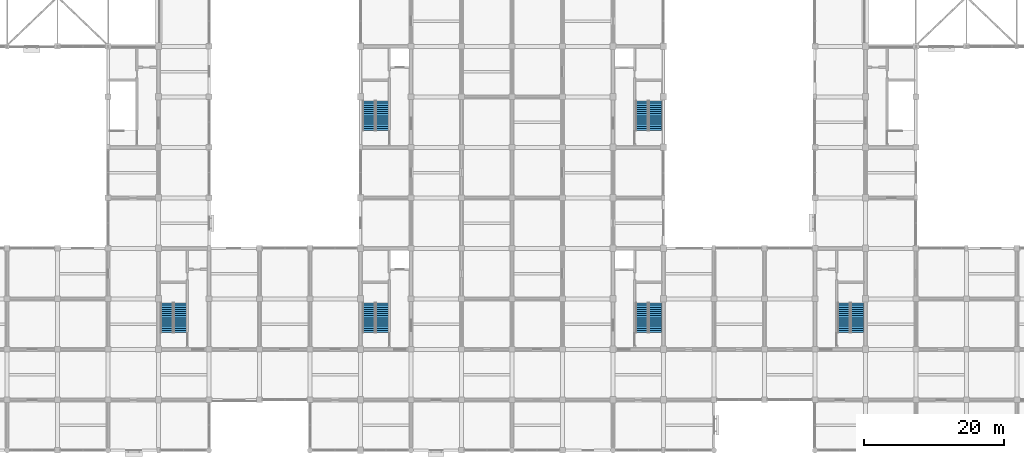
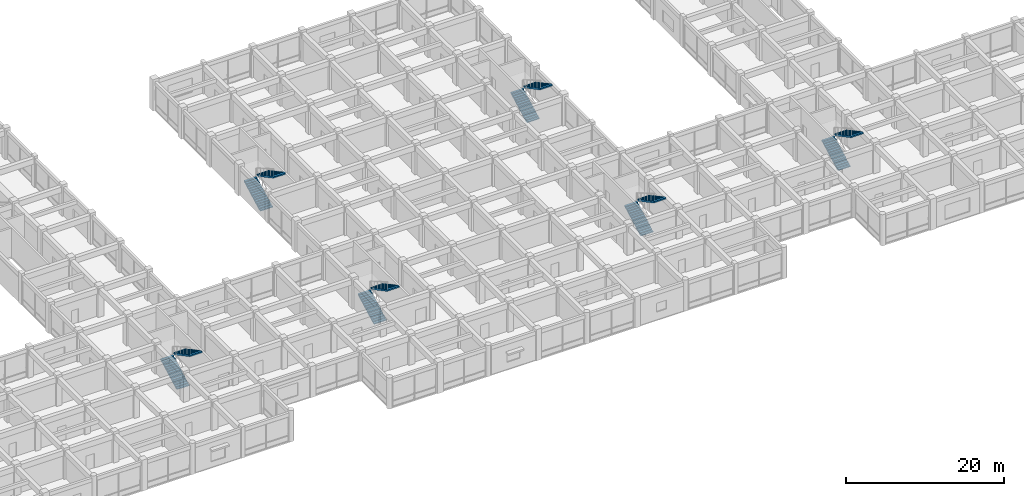
# One storey, part 66 of 75: 12 stair flights, 6 elements without a shape of their own.
"""IFC4 building model written with IfcOpenShell, lengths in metres."""

from ifc_helpers import new_model, si_unit, direction, frame, origin, place, context, subcontext, project, spatial, polyline, outline, extrude, material, type_object, element, aggregate, save


model = new_model("IFC4")

# Units and contexts
model_context = context("Model", 3, precision=1e-05, world=origin(), true_north=direction((0.0, 1.0)))
body_context = subcontext(model_context, "Body", "Model", "MODEL_VIEW")
ifc_project = project(units=[si_unit("LENGTHUNIT", "METRE"), si_unit("AREAUNIT", "SQUARE_METRE"), si_unit("VOLUMEUNIT", "CUBIC_METRE"), si_unit("PLANEANGLEUNIT", "RADIAN"), si_unit("MASSUNIT", "GRAM", prefix="KILO")], contexts=[model_context])

# Site, building, storey
site_placement = place(None, origin())
site = spatial("IfcSite", under=ifc_project, at=site_placement, CompositionType="ELEMENT")
building_placement = place(site_placement, origin())
building = spatial("IfcBuilding", under=site, at=building_placement, Name="Cendaluz Park School", CompositionType="ELEMENT")
storey_placement = place(building_placement, frame((0.0, 0.0, 4.800048828125)))
storey = spatial("IfcBuildingStorey", under=building, at=storey_placement, Name="L01", CompositionType="ELEMENT", Elevation=4.800048828125)

# Stair, stair flights
ifc_material = material(Name="Concrete C40/50", Category="concrete")
stair_type = type_object("IfcStairType", Name="ST-480-180", PredefinedType="HALF_TURN_STAIR", material=ifc_material)
stair_1_placement = place(storey_placement, origin())
stair_1 = element("IfcStair", 1, at=stair_1_placement, inside=storey, type_object=stair_type, Name="ST-L01-C1", PredefinedType="HALF_TURN_STAIR")
stair_flight_type = type_object("IfcStairFlightType", Name="SF-15-160-180", PredefinedType="STRAIGHT", material=ifc_material)
stair_flight_1_placement = place(storey_placement, frame((65.989990234375, 16.800048828125, 0.0), z_axis=(0.0, 0.0, 1.0), x_axis=(0.0, 1.0, 0.0)))
stair_flight_1 = element("IfcStairFlight", 2, at=stair_flight_1_placement, type_object=stair_flight_type, Name="SF-L01-C1-1", NumberOfRisers=15, NumberOfTreads=14, PredefinedType="STRAIGHT", RiserHeight=0.16, TreadLength=0.3, context=body_context, shape_type="SweptSolid", body=[
    extrude(outline(polyline([(0.0, 0.0), (0.0, 0.159912109375), (0.300048828125, 0.159912109375), (0.300048828125, 0.320068359375), (0.60009765625, 0.320068359375), (0.60009765625, 0.47998046875), (0.89990234375, 0.47998046875), (0.89990234375, 0.639892578125), (1.199951171875, 0.639892578125), (1.199951171875, 0.800048828125), (1.5, 0.800048828125), (1.5, 0.9599609375), (1.800048828125, 0.9599609375), (1.800048828125, 1.1201171875), (2.10009765625, 1.1201171875), (2.10009765625, 1.280029296875), (2.39990234375, 1.280029296875), (2.39990234375, 1.43994140625), (2.699951171875, 1.43994140625), (2.699951171875, 1.60009765625), (3.0, 1.60009765625), (3.0, 1.760009765625), (3.300048828125, 1.760009765625), (3.300048828125, 1.919921875), (3.60009765625, 1.919921875), (3.60009765625, 2.080078125), (3.89990234375, 2.080078125), (3.89990234375, 2.239990234375), (4.199951171875, 2.239990234375), (4.199951171875, 2.39990234375), (4.199951171875, 2.0361328125), (0.38232421875, 0.0), (0.0, 0.0)])), frame((0.0, 0.89990234375, 0.0), z_axis=(0.0, -1.0, 0.0), x_axis=(1.0, 0.0, 0.0)), (0.0, 0.0, 1.0), 1.800048828125),
])
stair_flight_2_placement = place(storey_placement, frame((67.860107421875, 21.0, 2.39990234375), z_axis=(0.0, 0.0, 1.0), x_axis=(0.0, -1.0, 0.0)))
stair_flight_2 = element("IfcStairFlight", 3, at=stair_flight_2_placement, type_object=stair_flight_type, Name="SF-L01-C1-2", NumberOfRisers=15, NumberOfTreads=14, PredefinedType="STRAIGHT", RiserHeight=0.16, TreadLength=0.3, context=body_context, shape_type="SweptSolid", body=[
    extrude(outline(polyline([(0.0, 0.0), (0.0, 0.159912109375), (0.300048828125, 0.159912109375), (0.300048828125, 0.320068359375), (0.60009765625, 0.320068359375), (0.60009765625, 0.47998046875), (0.89990234375, 0.47998046875), (0.89990234375, 0.639892578125), (1.199951171875, 0.639892578125), (1.199951171875, 0.800048828125), (1.5, 0.800048828125), (1.5, 0.9599609375), (1.800048828125, 0.9599609375), (1.800048828125, 1.1201171875), (2.10009765625, 1.1201171875), (2.10009765625, 1.280029296875), (2.39990234375, 1.280029296875), (2.39990234375, 1.43994140625), (2.699951171875, 1.43994140625), (2.699951171875, 1.60009765625), (3.0, 1.60009765625), (3.0, 1.760009765625), (3.300048828125, 1.760009765625), (3.300048828125, 1.919921875), (3.60009765625, 1.919921875), (3.60009765625, 2.080078125), (3.89990234375, 2.080078125), (3.89990234375, 2.239990234375), (4.199951171875, 2.239990234375), (4.199951171875, 2.39990234375), (4.199951171875, 2.0361328125), (0.38232421875, 0.0), (0.0, 0.0)])), frame((0.0, 0.89990234375, 0.0), z_axis=(0.0, -1.0, 0.0), x_axis=(1.0, 0.0, 0.0)), (0.0, 0.0, 1.0), 1.800048828125),
])
aggregate(stair_1, [stair_flight_1, stair_flight_2])

stair_2_placement = place(storey_placement, origin())
stair_2 = element("IfcStair", 4, at=stair_2_placement, inside=storey, type_object=stair_type, Name="ST-L01-C2", PredefinedType="HALF_TURN_STAIR")
stair_flight_3_placement = place(storey_placement, frame((104.93994140625, 16.800048828125, 0.0), z_axis=(0.0, 0.0, 1.0), x_axis=(0.0, 1.0, 0.0)))
stair_flight_3 = element("IfcStairFlight", 5, at=stair_flight_3_placement, type_object=stair_flight_type, Name="SF-L01-C2-1", NumberOfRisers=15, NumberOfTreads=14, PredefinedType="STRAIGHT", RiserHeight=0.16, TreadLength=0.3, context=body_context, shape_type="SweptSolid", body=[
    extrude(outline(polyline([(0.0, 0.0), (0.0, 0.159912109375), (0.300048828125, 0.159912109375), (0.300048828125, 0.320068359375), (0.60009765625, 0.320068359375), (0.60009765625, 0.47998046875), (0.89990234375, 0.47998046875), (0.89990234375, 0.639892578125), (1.199951171875, 0.639892578125), (1.199951171875, 0.800048828125), (1.5, 0.800048828125), (1.5, 0.9599609375), (1.800048828125, 0.9599609375), (1.800048828125, 1.1201171875), (2.10009765625, 1.1201171875), (2.10009765625, 1.280029296875), (2.39990234375, 1.280029296875), (2.39990234375, 1.43994140625), (2.699951171875, 1.43994140625), (2.699951171875, 1.60009765625), (3.0, 1.60009765625), (3.0, 1.760009765625), (3.300048828125, 1.760009765625), (3.300048828125, 1.919921875), (3.60009765625, 1.919921875), (3.60009765625, 2.080078125), (3.89990234375, 2.080078125), (3.89990234375, 2.239990234375), (4.199951171875, 2.239990234375), (4.199951171875, 2.39990234375), (4.199951171875, 2.0361328125), (0.38232421875, 0.0), (0.0, 0.0)])), frame((0.0, 0.89990234375, 0.0), z_axis=(0.0, -1.0, 0.0), x_axis=(1.0, 0.0, 0.0)), (0.0, 0.0, 1.0), 1.800048828125),
])
stair_flight_4_placement = place(storey_placement, frame((106.81005859375, 21.0, 2.39990234375), z_axis=(0.0, 0.0, 1.0), x_axis=(0.0, -1.0, 0.0)))
stair_flight_4 = element("IfcStairFlight", 6, at=stair_flight_4_placement, type_object=stair_flight_type, Name="SF-L01-C2-2", NumberOfRisers=15, NumberOfTreads=14, PredefinedType="STRAIGHT", RiserHeight=0.16, TreadLength=0.3, context=body_context, shape_type="SweptSolid", body=[
    extrude(outline(polyline([(0.0, 0.0), (0.0, 0.159912109375), (0.300048828125, 0.159912109375), (0.300048828125, 0.320068359375), (0.60009765625, 0.320068359375), (0.60009765625, 0.47998046875), (0.89990234375, 0.47998046875), (0.89990234375, 0.639892578125), (1.199951171875, 0.639892578125), (1.199951171875, 0.800048828125), (1.5, 0.800048828125), (1.5, 0.9599609375), (1.800048828125, 0.9599609375), (1.800048828125, 1.1201171875), (2.10009765625, 1.1201171875), (2.10009765625, 1.280029296875), (2.39990234375, 1.280029296875), (2.39990234375, 1.43994140625), (2.699951171875, 1.43994140625), (2.699951171875, 1.60009765625), (3.0, 1.60009765625), (3.0, 1.760009765625), (3.300048828125, 1.760009765625), (3.300048828125, 1.919921875), (3.60009765625, 1.919921875), (3.60009765625, 2.080078125), (3.89990234375, 2.080078125), (3.89990234375, 2.239990234375), (4.199951171875, 2.239990234375), (4.199951171875, 2.39990234375), (4.199951171875, 2.0361328125), (0.38232421875, 0.0), (0.0, 0.0)])), frame((0.0, 0.89990234375, 0.0), z_axis=(0.0, -1.0, 0.0), x_axis=(1.0, 0.0, 0.0)), (0.0, 0.0, 1.0), 1.800048828125),
])
aggregate(stair_2, [stair_flight_3, stair_flight_4])

stair_3_placement = place(storey_placement, origin())
stair_3 = element("IfcStair", 7, at=stair_3_placement, inside=storey, type_object=stair_type, Name="ST-L01-C3", PredefinedType="HALF_TURN_STAIR")
stair_flight_5_placement = place(storey_placement, frame((65.989990234375, 45.60009765625, 0.0), z_axis=(0.0, 0.0, 1.0), x_axis=(0.0, 1.0, 0.0)))
stair_flight_5 = element("IfcStairFlight", 8, at=stair_flight_5_placement, type_object=stair_flight_type, Name="SF-L01-C3-1", NumberOfRisers=15, NumberOfTreads=14, PredefinedType="STRAIGHT", RiserHeight=0.16, TreadLength=0.3, context=body_context, shape_type="SweptSolid", body=[
    extrude(outline(polyline([(0.0, 0.0), (0.0, 0.159912109375), (0.300048828125, 0.159912109375), (0.300048828125, 0.320068359375), (0.60009765625, 0.320068359375), (0.60009765625, 0.47998046875), (0.89990234375, 0.47998046875), (0.89990234375, 0.639892578125), (1.199951171875, 0.639892578125), (1.199951171875, 0.800048828125), (1.5, 0.800048828125), (1.5, 0.9599609375), (1.800048828125, 0.9599609375), (1.800048828125, 1.1201171875), (2.10009765625, 1.1201171875), (2.10009765625, 1.280029296875), (2.39990234375, 1.280029296875), (2.39990234375, 1.43994140625), (2.699951171875, 1.43994140625), (2.699951171875, 1.60009765625), (3.0, 1.60009765625), (3.0, 1.760009765625), (3.300048828125, 1.760009765625), (3.300048828125, 1.919921875), (3.60009765625, 1.919921875), (3.60009765625, 2.080078125), (3.89990234375, 2.080078125), (3.89990234375, 2.239990234375), (4.199951171875, 2.239990234375), (4.199951171875, 2.39990234375), (4.199951171875, 2.0361328125), (0.38232421875, 0.0), (0.0, 0.0)])), frame((0.0, 0.89990234375, 0.0), z_axis=(0.0, -1.0, 0.0), x_axis=(1.0, 0.0, 0.0)), (0.0, 0.0, 1.0), 1.800048828125),
])
stair_flight_6_placement = place(storey_placement, frame((67.860107421875, 49.800048828125, 2.39990234375), z_axis=(0.0, 0.0, 1.0), x_axis=(0.0, -1.0, 0.0)))
stair_flight_6 = element("IfcStairFlight", 9, at=stair_flight_6_placement, type_object=stair_flight_type, Name="SF-L01-C3-2", NumberOfRisers=15, NumberOfTreads=14, PredefinedType="STRAIGHT", RiserHeight=0.16, TreadLength=0.3, context=body_context, shape_type="SweptSolid", body=[
    extrude(outline(polyline([(0.0, 0.0), (0.0, 0.159912109375), (0.300048828125, 0.159912109375), (0.300048828125, 0.320068359375), (0.60009765625, 0.320068359375), (0.60009765625, 0.47998046875), (0.89990234375, 0.47998046875), (0.89990234375, 0.639892578125), (1.199951171875, 0.639892578125), (1.199951171875, 0.800048828125), (1.5, 0.800048828125), (1.5, 0.9599609375), (1.800048828125, 0.9599609375), (1.800048828125, 1.1201171875), (2.10009765625, 1.1201171875), (2.10009765625, 1.280029296875), (2.39990234375, 1.280029296875), (2.39990234375, 1.43994140625), (2.699951171875, 1.43994140625), (2.699951171875, 1.60009765625), (3.0, 1.60009765625), (3.0, 1.760009765625), (3.300048828125, 1.760009765625), (3.300048828125, 1.919921875), (3.60009765625, 1.919921875), (3.60009765625, 2.080078125), (3.89990234375, 2.080078125), (3.89990234375, 2.239990234375), (4.199951171875, 2.239990234375), (4.199951171875, 2.39990234375), (4.199951171875, 2.0361328125), (0.38232421875, 0.0), (0.0, 0.0)])), frame((0.0, 0.89990234375, 0.0), z_axis=(0.0, -1.0, 0.0), x_axis=(1.0, 0.0, 0.0)), (0.0, 0.0, 1.0), 1.800048828125),
])
aggregate(stair_3, [stair_flight_5, stair_flight_6])

stair_4_placement = place(storey_placement, origin())
stair_4 = element("IfcStair", 10, at=stair_4_placement, inside=storey, type_object=stair_type, Name="ST-L01-C4", PredefinedType="HALF_TURN_STAIR")
stair_flight_7_placement = place(storey_placement, frame((104.93994140625, 45.60009765625, 0.0), z_axis=(0.0, 0.0, 1.0), x_axis=(0.0, 1.0, 0.0)))
stair_flight_7 = element("IfcStairFlight", 11, at=stair_flight_7_placement, type_object=stair_flight_type, Name="SF-L01-C4-1", NumberOfRisers=15, NumberOfTreads=14, PredefinedType="STRAIGHT", RiserHeight=0.16, TreadLength=0.3, context=body_context, shape_type="SweptSolid", body=[
    extrude(outline(polyline([(0.0, 0.0), (0.0, 0.159912109375), (0.300048828125, 0.159912109375), (0.300048828125, 0.320068359375), (0.60009765625, 0.320068359375), (0.60009765625, 0.47998046875), (0.89990234375, 0.47998046875), (0.89990234375, 0.639892578125), (1.199951171875, 0.639892578125), (1.199951171875, 0.800048828125), (1.5, 0.800048828125), (1.5, 0.9599609375), (1.800048828125, 0.9599609375), (1.800048828125, 1.1201171875), (2.10009765625, 1.1201171875), (2.10009765625, 1.280029296875), (2.39990234375, 1.280029296875), (2.39990234375, 1.43994140625), (2.699951171875, 1.43994140625), (2.699951171875, 1.60009765625), (3.0, 1.60009765625), (3.0, 1.760009765625), (3.300048828125, 1.760009765625), (3.300048828125, 1.919921875), (3.60009765625, 1.919921875), (3.60009765625, 2.080078125), (3.89990234375, 2.080078125), (3.89990234375, 2.239990234375), (4.199951171875, 2.239990234375), (4.199951171875, 2.39990234375), (4.199951171875, 2.0361328125), (0.38232421875, 0.0), (0.0, 0.0)])), frame((0.0, 0.89990234375, 0.0), z_axis=(0.0, -1.0, 0.0), x_axis=(1.0, 0.0, 0.0)), (0.0, 0.0, 1.0), 1.800048828125),
])
stair_flight_8_placement = place(storey_placement, frame((106.81005859375, 49.800048828125, 2.39990234375), z_axis=(0.0, 0.0, 1.0), x_axis=(0.0, -1.0, 0.0)))
stair_flight_8 = element("IfcStairFlight", 12, at=stair_flight_8_placement, type_object=stair_flight_type, Name="SF-L01-C4-2", NumberOfRisers=15, NumberOfTreads=14, PredefinedType="STRAIGHT", RiserHeight=0.16, TreadLength=0.3, context=body_context, shape_type="SweptSolid", body=[
    extrude(outline(polyline([(0.0, 0.0), (0.0, 0.159912109375), (0.300048828125, 0.159912109375), (0.300048828125, 0.320068359375), (0.60009765625, 0.320068359375), (0.60009765625, 0.47998046875), (0.89990234375, 0.47998046875), (0.89990234375, 0.639892578125), (1.199951171875, 0.639892578125), (1.199951171875, 0.800048828125), (1.5, 0.800048828125), (1.5, 0.9599609375), (1.800048828125, 0.9599609375), (1.800048828125, 1.1201171875), (2.10009765625, 1.1201171875), (2.10009765625, 1.280029296875), (2.39990234375, 1.280029296875), (2.39990234375, 1.43994140625), (2.699951171875, 1.43994140625), (2.699951171875, 1.60009765625), (3.0, 1.60009765625), (3.0, 1.760009765625), (3.300048828125, 1.760009765625), (3.300048828125, 1.919921875), (3.60009765625, 1.919921875), (3.60009765625, 2.080078125), (3.89990234375, 2.080078125), (3.89990234375, 2.239990234375), (4.199951171875, 2.239990234375), (4.199951171875, 2.39990234375), (4.199951171875, 2.0361328125), (0.38232421875, 0.0), (0.0, 0.0)])), frame((0.0, 0.89990234375, 0.0), z_axis=(0.0, -1.0, 0.0), x_axis=(1.0, 0.0, 0.0)), (0.0, 0.0, 1.0), 1.800048828125),
])
aggregate(stair_4, [stair_flight_7, stair_flight_8])

stair_5_placement = place(storey_placement, origin())
stair_5 = element("IfcStair", 13, at=stair_5_placement, inside=storey, type_object=stair_type, Name="ST-L01-C5", PredefinedType="HALF_TURN_STAIR")
stair_flight_9_placement = place(storey_placement, frame((37.18994140625, 16.800048828125, 0.0), z_axis=(0.0, 0.0, 1.0), x_axis=(0.0, 1.0, 0.0)))
stair_flight_9 = element("IfcStairFlight", 14, at=stair_flight_9_placement, type_object=stair_flight_type, Name="SF-L01-C5-1", NumberOfRisers=15, NumberOfTreads=14, PredefinedType="STRAIGHT", RiserHeight=0.16, TreadLength=0.3, context=body_context, shape_type="SweptSolid", body=[
    extrude(outline(polyline([(0.0, 0.0), (0.0, 0.159912109375), (0.300048828125, 0.159912109375), (0.300048828125, 0.320068359375), (0.60009765625, 0.320068359375), (0.60009765625, 0.47998046875), (0.89990234375, 0.47998046875), (0.89990234375, 0.639892578125), (1.199951171875, 0.639892578125), (1.199951171875, 0.800048828125), (1.5, 0.800048828125), (1.5, 0.9599609375), (1.800048828125, 0.9599609375), (1.800048828125, 1.1201171875), (2.10009765625, 1.1201171875), (2.10009765625, 1.280029296875), (2.39990234375, 1.280029296875), (2.39990234375, 1.43994140625), (2.699951171875, 1.43994140625), (2.699951171875, 1.60009765625), (3.0, 1.60009765625), (3.0, 1.760009765625), (3.300048828125, 1.760009765625), (3.300048828125, 1.919921875), (3.60009765625, 1.919921875), (3.60009765625, 2.080078125), (3.89990234375, 2.080078125), (3.89990234375, 2.239990234375), (4.199951171875, 2.239990234375), (4.199951171875, 2.39990234375), (4.199951171875, 2.0361328125), (0.38232421875, 0.0), (0.0, 0.0)])), frame((0.0, 0.89990234375, 0.0), z_axis=(0.0, -1.0, 0.0), x_axis=(1.0, 0.0, 0.0)), (0.0, 0.0, 1.0), 1.800048828125),
])
stair_flight_10_placement = place(storey_placement, frame((39.06005859375, 21.0, 2.39990234375), z_axis=(0.0, 0.0, 1.0), x_axis=(0.0, -1.0, 0.0)))
stair_flight_10 = element("IfcStairFlight", 15, at=stair_flight_10_placement, type_object=stair_flight_type, Name="SF-L01-C5-2", NumberOfRisers=15, NumberOfTreads=14, PredefinedType="STRAIGHT", RiserHeight=0.16, TreadLength=0.3, context=body_context, shape_type="SweptSolid", body=[
    extrude(outline(polyline([(0.0, 0.0), (0.0, 0.159912109375), (0.300048828125, 0.159912109375), (0.300048828125, 0.320068359375), (0.60009765625, 0.320068359375), (0.60009765625, 0.47998046875), (0.89990234375, 0.47998046875), (0.89990234375, 0.639892578125), (1.199951171875, 0.639892578125), (1.199951171875, 0.800048828125), (1.5, 0.800048828125), (1.5, 0.9599609375), (1.800048828125, 0.9599609375), (1.800048828125, 1.1201171875), (2.10009765625, 1.1201171875), (2.10009765625, 1.280029296875), (2.39990234375, 1.280029296875), (2.39990234375, 1.43994140625), (2.699951171875, 1.43994140625), (2.699951171875, 1.60009765625), (3.0, 1.60009765625), (3.0, 1.760009765625), (3.300048828125, 1.760009765625), (3.300048828125, 1.919921875), (3.60009765625, 1.919921875), (3.60009765625, 2.080078125), (3.89990234375, 2.080078125), (3.89990234375, 2.239990234375), (4.199951171875, 2.239990234375), (4.199951171875, 2.39990234375), (4.199951171875, 2.0361328125), (0.38232421875, 0.0), (0.0, 0.0)])), frame((0.0, 0.89990234375, 0.0), z_axis=(0.0, -1.0, 0.0), x_axis=(1.0, 0.0, 0.0)), (0.0, 0.0, 1.0), 1.800048828125),
])
aggregate(stair_5, [stair_flight_9, stair_flight_10])

stair_6_placement = place(storey_placement, origin())
stair_6 = element("IfcStair", 16, at=stair_6_placement, inside=storey, type_object=stair_type, Name="ST-L01-C6", PredefinedType="HALF_TURN_STAIR")
stair_flight_11_placement = place(storey_placement, frame((133.739990234375, 16.800048828125, 0.0), z_axis=(0.0, 0.0, 1.0), x_axis=(0.0, 1.0, 0.0)))
stair_flight_11 = element("IfcStairFlight", 17, at=stair_flight_11_placement, type_object=stair_flight_type, Name="SF-L01-C6-1", NumberOfRisers=15, NumberOfTreads=14, PredefinedType="STRAIGHT", RiserHeight=0.16, TreadLength=0.3, context=body_context, shape_type="SweptSolid", body=[
    extrude(outline(polyline([(0.0, 0.0), (0.0, 0.159912109375), (0.300048828125, 0.159912109375), (0.300048828125, 0.320068359375), (0.60009765625, 0.320068359375), (0.60009765625, 0.47998046875), (0.89990234375, 0.47998046875), (0.89990234375, 0.639892578125), (1.199951171875, 0.639892578125), (1.199951171875, 0.800048828125), (1.5, 0.800048828125), (1.5, 0.9599609375), (1.800048828125, 0.9599609375), (1.800048828125, 1.1201171875), (2.10009765625, 1.1201171875), (2.10009765625, 1.280029296875), (2.39990234375, 1.280029296875), (2.39990234375, 1.43994140625), (2.699951171875, 1.43994140625), (2.699951171875, 1.60009765625), (3.0, 1.60009765625), (3.0, 1.760009765625), (3.300048828125, 1.760009765625), (3.300048828125, 1.919921875), (3.60009765625, 1.919921875), (3.60009765625, 2.080078125), (3.89990234375, 2.080078125), (3.89990234375, 2.239990234375), (4.199951171875, 2.239990234375), (4.199951171875, 2.39990234375), (4.199951171875, 2.0361328125), (0.38232421875, 0.0), (0.0, 0.0)])), frame((0.0, 0.89990234375, 0.0), z_axis=(0.0, -1.0, 0.0), x_axis=(1.0, 0.0, 0.0)), (0.0, 0.0, 1.0), 1.800048828125),
])
stair_flight_12_placement = place(storey_placement, frame((135.610107421875, 21.0, 2.39990234375), z_axis=(0.0, 0.0, 1.0), x_axis=(0.0, -1.0, 0.0)))
stair_flight_12 = element("IfcStairFlight", 18, at=stair_flight_12_placement, type_object=stair_flight_type, Name="SF-L01-C6-2", NumberOfRisers=15, NumberOfTreads=14, PredefinedType="STRAIGHT", RiserHeight=0.16, TreadLength=0.3, context=body_context, shape_type="SweptSolid", body=[
    extrude(outline(polyline([(0.0, 0.0), (0.0, 0.159912109375), (0.300048828125, 0.159912109375), (0.300048828125, 0.320068359375), (0.60009765625, 0.320068359375), (0.60009765625, 0.47998046875), (0.89990234375, 0.47998046875), (0.89990234375, 0.639892578125), (1.199951171875, 0.639892578125), (1.199951171875, 0.800048828125), (1.5, 0.800048828125), (1.5, 0.9599609375), (1.800048828125, 0.9599609375), (1.800048828125, 1.1201171875), (2.10009765625, 1.1201171875), (2.10009765625, 1.280029296875), (2.39990234375, 1.280029296875), (2.39990234375, 1.43994140625), (2.699951171875, 1.43994140625), (2.699951171875, 1.60009765625), (3.0, 1.60009765625), (3.0, 1.760009765625), (3.300048828125, 1.760009765625), (3.300048828125, 1.919921875), (3.60009765625, 1.919921875), (3.60009765625, 2.080078125), (3.89990234375, 2.080078125), (3.89990234375, 2.239990234375), (4.199951171875, 2.239990234375), (4.199951171875, 2.39990234375), (4.199951171875, 2.0361328125), (0.38232421875, 0.0), (0.0, 0.0)])), frame((0.0, 0.89990234375, 0.0), z_axis=(0.0, -1.0, 0.0), x_axis=(1.0, 0.0, 0.0)), (0.0, 0.0, 1.0), 1.800048828125),
])
aggregate(stair_6, [stair_flight_11, stair_flight_12])

save(model, "model.ifc")
